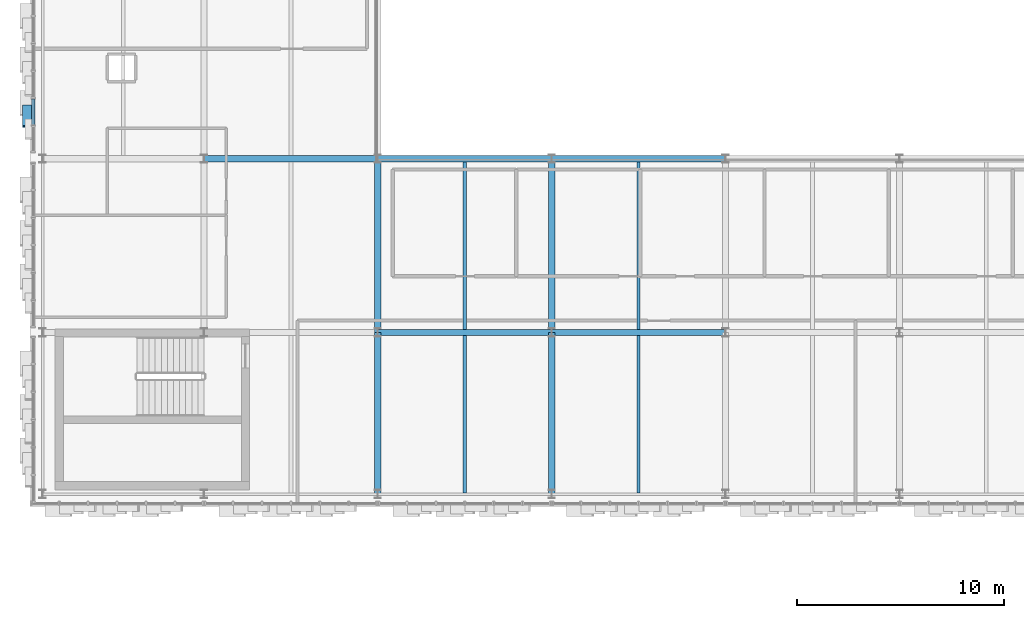
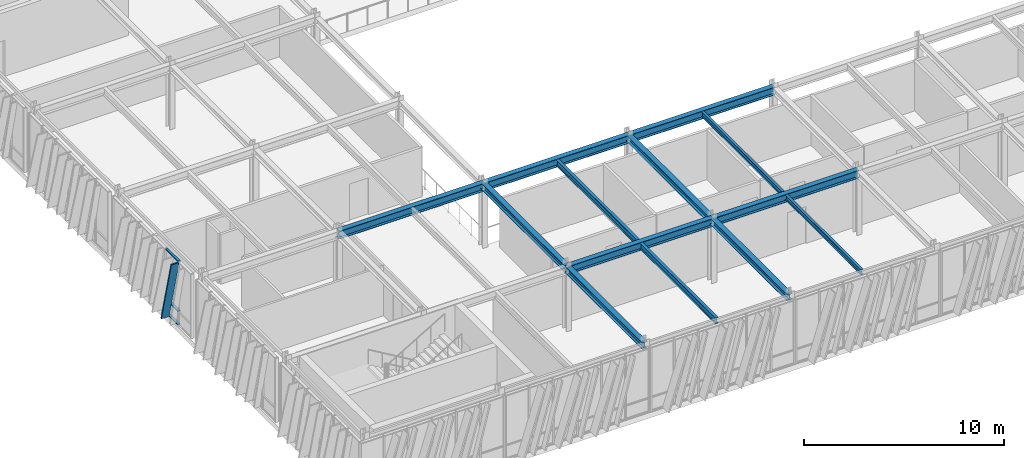
# One storey, part 37 of 127: 13 beams, 4 members, 1 element without a shape of its own.
"""IFC4 building model written with IfcOpenShell, lengths in metres."""

from ifc_helpers import new_model, si_unit, direction, frame, origin, origin_2d, place, context, subcontext, project, spatial, hollow_rectangle, i_section, extrude, material, layer, layer_set, material_profile, profile_set, type_object, element, aggregate, save


model = new_model("IFC4")

# Units and contexts
model_context = context("Model", 3, precision=1e-05, world=origin(), true_north=direction((0.0, 1.0)))
body_context = subcontext(model_context, "Body", "Model", "MODEL_VIEW")
ifc_project = project(units=[si_unit("LENGTHUNIT", "METRE"), si_unit("AREAUNIT", "SQUARE_METRE"), si_unit("VOLUMEUNIT", "CUBIC_METRE"), si_unit("PLANEANGLEUNIT", "RADIAN"), si_unit("MASSUNIT", "GRAM", prefix="KILO")], contexts=[model_context])

# Site, building, storey
site_placement = place(None, origin())
site = spatial("IfcSite", under=ifc_project, at=site_placement, CompositionType="ELEMENT")
building_placement = place(site_placement, origin())
building = spatial("IfcBuilding", under=site, at=building_placement, Name="Zayran Congress Hotel", CompositionType="ELEMENT")
storey_placement = place(building_placement, frame((0.0, 0.0, 10.800048828125)))
storey = spatial("IfcBuildingStorey", under=building, at=storey_placement, Name="L02", CompositionType="ELEMENT", Elevation=10.800048828125)

# Beams
ifc_material_1 = material(Name="Steel S355", Category="steel")
ifc_material_profile_1 = material_profile(ifc_material_1, i_section(OverallWidth=0.300048828125, OverallDepth=0.489990234375, WebThickness=0.011962890625, FlangeThickness=0.02294921875, at=origin_2d()), Name="HEA 500")
ifc_profile_set_1 = profile_set([ifc_material_profile_1], Name="Steel S355")
beam_type_1 = type_object("IfcBeamType", Name="TP-BM-05", PredefinedType="BEAM", material=ifc_profile_set_1)
beam_1_placement = place(storey_placement, frame((25.199951171875, 76.0, 3.675048828125), z_axis=(1.0, 0.0, 0.0), x_axis=(0.0, 1.0, 0.0)))
element("IfcBeam", 1, at=beam_1_placement, inside=storey, type_object=beam_type_1, Name="BM-V1-L02-0664", PredefinedType="BEAM", context=body_context, shape_type="SweptSolid", body=[
    extrude(i_section(OverallWidth=0.300048828125, OverallDepth=0.489990234375, WebThickness=0.011962890625, FlangeThickness=0.02294921875, at=origin_2d()), origin(), (0.0, 0.0, 1.0), 8.400146484375),
])
for number, where, z_axis, x_axis, name in (
    (2, (33.60009765625, 76.0, 3.675048828125), (1.0, 0.0, 0.0), (0.0, 1.0, 0.0), "BM-V1-L02-0665"),
    (3, (16.800048828125, 84.39990234375, 3.675048828125), (1.0, 0.0, 0.0), (0.0, 1.0, 0.0), "BM-V1-L02-0673"),
):
    element("IfcBeam", number, at=place(storey_placement, frame(where, z_axis=z_axis, x_axis=x_axis)), inside=storey, type_object=beam_type_1, Name=name, PredefinedType="BEAM", context=body_context, shape_type="SweptSolid", body=[
        extrude(i_section(OverallWidth=0.300048828125, OverallDepth=0.489990234375, WebThickness=0.011962890625, FlangeThickness=0.02294921875, at=origin_2d()), origin(), (0.0, 0.0, 1.0), 8.39990234375),
    ])
beam_2_placement = place(storey_placement, frame((25.199951171875, 84.39990234375, 3.675048828125), z_axis=(1.0, 0.0, 0.0), x_axis=(0.0, 1.0, 0.0)))
element("IfcBeam", 4, at=beam_2_placement, inside=storey, type_object=beam_type_1, Name="BM-V1-L02-0674", PredefinedType="BEAM", context=body_context, shape_type="SweptSolid", body=[
    extrude(i_section(OverallWidth=0.300048828125, OverallDepth=0.489990234375, WebThickness=0.011962890625, FlangeThickness=0.02294921875, at=origin_2d()), origin(), (0.0, 0.0, 1.0), 8.400146484375),
])
beam_3_placement = place(storey_placement, frame((33.60009765625, 84.39990234375, 3.675048828125), z_axis=(1.0, 0.0, 0.0), x_axis=(0.0, 1.0, 0.0)))
element("IfcBeam", 5, at=beam_3_placement, inside=storey, type_object=beam_type_1, Name="BM-V1-L02-0675", PredefinedType="BEAM", context=body_context, shape_type="SweptSolid", body=[
    extrude(i_section(OverallWidth=0.300048828125, OverallDepth=0.489990234375, WebThickness=0.011962890625, FlangeThickness=0.02294921875, at=origin_2d()), origin(), (0.0, 0.0, 1.0), 8.39990234375),
])
ifc_material_profile_2 = material_profile(ifc_material_1, i_section(OverallWidth=0.300048828125, OverallDepth=0.389892578125, WebThickness=0.010986328125, FlangeThickness=0.01904296875, at=origin_2d()), Name="HEA 400")
ifc_profile_set_2 = profile_set([ifc_material_profile_2], Name="Steel S355")
beam_type_2 = type_object("IfcBeamType", Name="TP-BM-06", PredefinedType="BEAM", material=ifc_profile_set_2)
beam_4_placement = place(storey_placement, frame((25.199951171875, 68.199951171875, 3.724853515625), z_axis=(0.0, 1.0, 0.0), x_axis=(-1.0, 0.0, 0.0)))
element("IfcBeam", 6, at=beam_4_placement, inside=storey, type_object=beam_type_2, Name="BM-V1-L02-0720", PredefinedType="BEAM", context=body_context, shape_type="SweptSolid", body=[
    extrude(i_section(OverallWidth=0.300048828125, OverallDepth=0.389892578125, WebThickness=0.010986328125, FlangeThickness=0.01904296875, at=origin_2d()), origin(), (0.0, 0.0, 1.0), 7.800048828125),
])
beam_5_placement = place(storey_placement, frame((25.199951171875, 76.0, 3.724853515625), z_axis=(0.0, 1.0, 0.0), x_axis=(-1.0, 0.0, 0.0)))
element("IfcBeam", 7, at=beam_5_placement, inside=storey, type_object=beam_type_2, Name="BM-V1-L02-0721", PredefinedType="BEAM", context=body_context, shape_type="SweptSolid", body=[
    extrude(i_section(OverallWidth=0.300048828125, OverallDepth=0.389892578125, WebThickness=0.010986328125, FlangeThickness=0.01904296875, at=origin_2d()), origin(), (0.0, 0.0, 1.0), 8.39990234375),
])
beam_6_placement = place(storey_placement, frame((33.60009765625, 68.199951171875, 3.724853515625), z_axis=(0.0, 1.0, 0.0), x_axis=(-1.0, 0.0, 0.0)))
element("IfcBeam", 8, at=beam_6_placement, inside=storey, type_object=beam_type_2, Name="BM-V1-L02-0726", PredefinedType="BEAM", context=body_context, shape_type="SweptSolid", body=[
    extrude(i_section(OverallWidth=0.300048828125, OverallDepth=0.389892578125, WebThickness=0.010986328125, FlangeThickness=0.01904296875, at=origin_2d()), origin(), (0.0, 0.0, 1.0), 7.800048828125),
])
beam_7_placement = place(storey_placement, frame((33.60009765625, 76.0, 3.724853515625), z_axis=(0.0, 1.0, 0.0), x_axis=(-1.0, 0.0, 0.0)))
element("IfcBeam", 9, at=beam_7_placement, inside=storey, type_object=beam_type_2, Name="BM-V1-L02-0727", PredefinedType="BEAM", context=body_context, shape_type="SweptSolid", body=[
    extrude(i_section(OverallWidth=0.300048828125, OverallDepth=0.389892578125, WebThickness=0.010986328125, FlangeThickness=0.01904296875, at=origin_2d()), origin(), (0.0, 0.0, 1.0), 8.39990234375),
])
ifc_material_profile_3 = material_profile(ifc_material_1, i_section(OverallWidth=0.169921875, OverallDepth=0.360107421875, WebThickness=0.008056640625, FlangeThickness=0.0126953125, at=origin_2d()), Name="IPE 360")
ifc_profile_set_3 = profile_set([ifc_material_profile_3], Name="Steel S355")
beam_type_3 = type_object("IfcBeamType", Name="TP-JS-04", PredefinedType="JOIST", material=ifc_profile_set_3)
beam_8_placement = place(storey_placement, frame((29.39990234375, 68.260009765625, 3.739990234375), z_axis=(0.0, 1.0, 0.0), x_axis=(-1.0, 0.0, 0.0)))
element("IfcBeam", 10, at=beam_8_placement, inside=storey, type_object=beam_type_3, Name="JST-V1-L02-0765", PredefinedType="JOIST", context=body_context, shape_type="SweptSolid", body=[
    extrude(i_section(OverallWidth=0.169921875, OverallDepth=0.360107421875, WebThickness=0.008056640625, FlangeThickness=0.0126953125, at=origin_2d()), origin(), (0.0, 0.0, 1.0), 7.590087890625),
])
beam_9_placement = place(storey_placement, frame((29.39990234375, 76.14990234375, 3.739990234375), z_axis=(0.0, 1.0, 0.0), x_axis=(-1.0, 0.0, 0.0)))
element("IfcBeam", 11, at=beam_9_placement, inside=storey, type_object=beam_type_3, Name="JST-V1-L02-0766", PredefinedType="JOIST", context=body_context, shape_type="SweptSolid", body=[
    extrude(i_section(OverallWidth=0.169921875, OverallDepth=0.360107421875, WebThickness=0.008056640625, FlangeThickness=0.0126953125, at=origin_2d()), origin(), (0.0, 0.0, 1.0), 8.10009765625),
])
ifc_material_profile_4 = material_profile(ifc_material_1, i_section(OverallWidth=0.14990234375, OverallDepth=0.300048828125, WebThickness=0.007080078125, FlangeThickness=0.0107421875, at=origin_2d()), Name="IPE 300")
ifc_profile_set_4 = profile_set([ifc_material_profile_4], Name="Steel S355")
beam_type_4 = type_object("IfcBeamType", Name="TP-JS-05", PredefinedType="JOIST", material=ifc_profile_set_4)
beam_10_placement = place(storey_placement, frame((37.800048828125, 68.260009765625, 3.77001953125), z_axis=(0.0, 1.0, 0.0), x_axis=(-1.0, 0.0, 0.0)))
element("IfcBeam", 12, at=beam_10_placement, inside=storey, type_object=beam_type_4, Name="JST-V1-L02-0768", PredefinedType="JOIST", context=body_context, shape_type="SweptSolid", body=[
    extrude(i_section(OverallWidth=0.14990234375, OverallDepth=0.300048828125, WebThickness=0.007080078125, FlangeThickness=0.0107421875, at=origin_2d()), origin(), (0.0, 0.0, 1.0), 7.590087890625),
])
beam_11_placement = place(storey_placement, frame((37.800048828125, 76.14990234375, 3.77001953125), z_axis=(0.0, 1.0, 0.0), x_axis=(-1.0, 0.0, 0.0)))
element("IfcBeam", 13, at=beam_11_placement, inside=storey, type_object=beam_type_4, Name="JST-V1-L02-0769", PredefinedType="JOIST", context=body_context, shape_type="SweptSolid", body=[
    extrude(i_section(OverallWidth=0.14990234375, OverallDepth=0.300048828125, WebThickness=0.007080078125, FlangeThickness=0.0107421875, at=origin_2d()), origin(), (0.0, 0.0, 1.0), 8.10009765625),
])

# Curtain wall, members
ifc_material_2 = material(Name="Anodised aluminium and low-E insulated glass", Category="aluminium")
ifc_layer = layer(ifc_material_2, 0.179931640625)
ifc_layer_set = layer_set([ifc_layer], Name="Anodised aluminium and low-E insulated glass")
curtain_wall_type = type_object("IfcCurtainWallType", Name="CW-V1W-L02-CW-31-7940-3920", PredefinedType="USERDEFINED", material=ifc_layer_set)
curtain_wall_placement = place(storey_placement, origin())
curtain_wall = element("IfcCurtainWall", 14, at=curtain_wall_placement, inside=storey, type_object=curtain_wall_type, Name="CW-V1W-L02-2", ObjectType="CURTAIN WALL", PredefinedType="USERDEFINED")
ifc_material_3 = material(Name="Anodised aluminium framing", Category="aluminium")
ifc_material_profile_5 = material_profile(ifc_material_3, hollow_rectangle(XDim=0.06005859375, YDim=0.14990234375, WallThickness=0.00390625, at=origin_2d()), Name="RHS 150x60x4")
ifc_profile_set_5 = profile_set([ifc_material_profile_5], Name="Anodised aluminium framing")
member_type_1 = type_object("IfcMemberType", Name="TP-CWT-01", PredefinedType="USERDEFINED", material=ifc_profile_set_5)
member_1_placement = place(storey_placement, frame((8.550048828125, 87.28662109375, 0.030029296875), z_axis=(0.0, -1.0, 0.0), x_axis=(0.0, 0.0, 1.0)))
member_1 = element("IfcMember", 15, at=member_1_placement, type_object=member_type_1, Name="CW-V1W-L02-2-T04-0", ObjectType="TRANSOM", PredefinedType="USERDEFINED", context=body_context, shape_type="SweptSolid", body=[
    extrude(hollow_rectangle(XDim=0.06005859375, YDim=0.14990234375, WallThickness=0.00390625, at=origin_2d()), origin(), (0.0, 0.0, 1.0), 1.243408203125),
])
member_2_placement = place(storey_placement, frame((8.550048828125, 87.28662109375, 0.83984375), z_axis=(0.0, -1.0, 0.0), x_axis=(0.0, 0.0, 1.0)))
member_2 = element("IfcMember", 16, at=member_2_placement, type_object=member_type_1, Name="CW-V1W-L02-2-T04-1", ObjectType="TRANSOM", PredefinedType="USERDEFINED", context=body_context, shape_type="SweptSolid", body=[
    extrude(hollow_rectangle(XDim=0.06005859375, YDim=0.14990234375, WallThickness=0.00390625, at=origin_2d()), origin(), (0.0, 0.0, 1.0), 1.243408203125),
])
member_3_placement = place(storey_placement, frame((8.550048828125, 87.28662109375, 3.889892578125), z_axis=(0.0, -1.0, 0.0), x_axis=(0.0, 0.0, 1.0)))
member_3 = element("IfcMember", 17, at=member_3_placement, type_object=member_type_1, Name="CW-V1W-L02-2-T04-2", ObjectType="TRANSOM", PredefinedType="USERDEFINED", context=body_context, shape_type="SweptSolid", body=[
    extrude(hollow_rectangle(XDim=0.06005859375, YDim=0.14990234375, WallThickness=0.00390625, at=origin_2d()), origin(), (0.0, 0.0, 1.0), 1.243408203125),
])
ifc_material_4 = material(Name="Warm bronze anodised aluminium", Category="aluminium")
ifc_material_profile_6 = material_profile(ifc_material_4, hollow_rectangle(XDim=0.080078125, YDim=0.449951171875, WallThickness=0.006103515625, at=origin_2d()), Name="RHS 450x80x6")
ifc_profile_set_6 = profile_set([ifc_material_profile_6], Name="Warm bronze anodised aluminium")
member_type_2 = type_object("IfcMemberType", Name="TP-RFN-02", PredefinedType="MULLION", material=ifc_profile_set_6)
member_4_placement = place(storey_placement, frame((8.264892578125, 86.969970703125, 0.0), z_axis=(0.0, -0.25035943501, 0.968152959662), x_axis=(0.0, 0.968152959662, 0.25035943501)))
member_4 = element("IfcMember", 18, at=member_4_placement, type_object=member_type_2, Name="Slanting Reed Mullion CW-31-08", PredefinedType="MULLION", context=body_context, shape_type="SweptSolid", body=[
    extrude(hollow_rectangle(XDim=0.080078125, YDim=0.449951171875, WallThickness=0.006103515625, at=origin_2d()), origin(), (0.0, 0.0, 1.0), 4.048828125),
])
aggregate(curtain_wall, [member_1, member_2, member_3, member_4])

save(model, "model.ifc")
